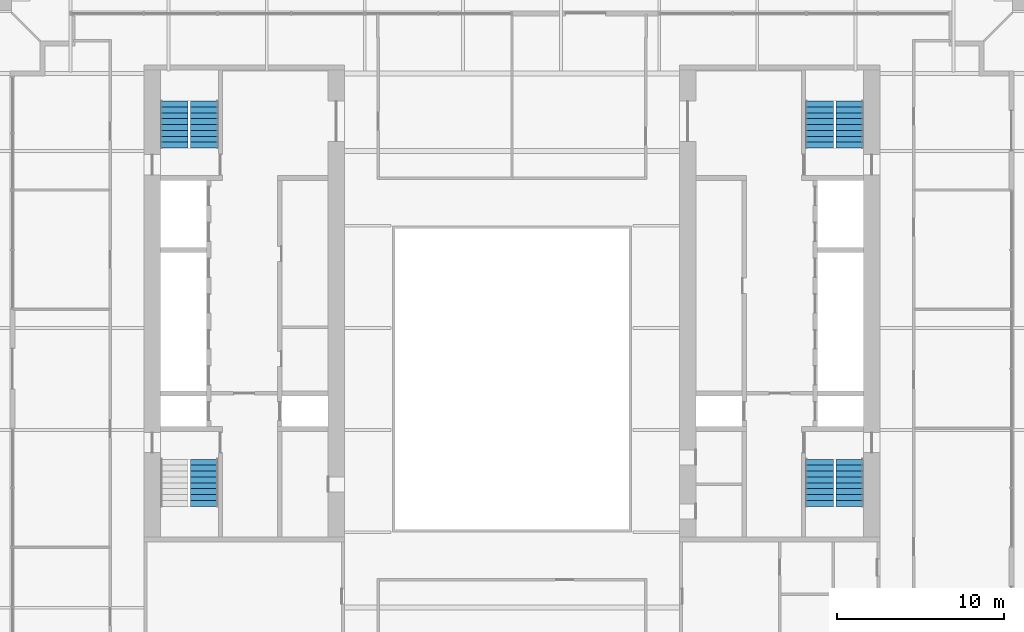
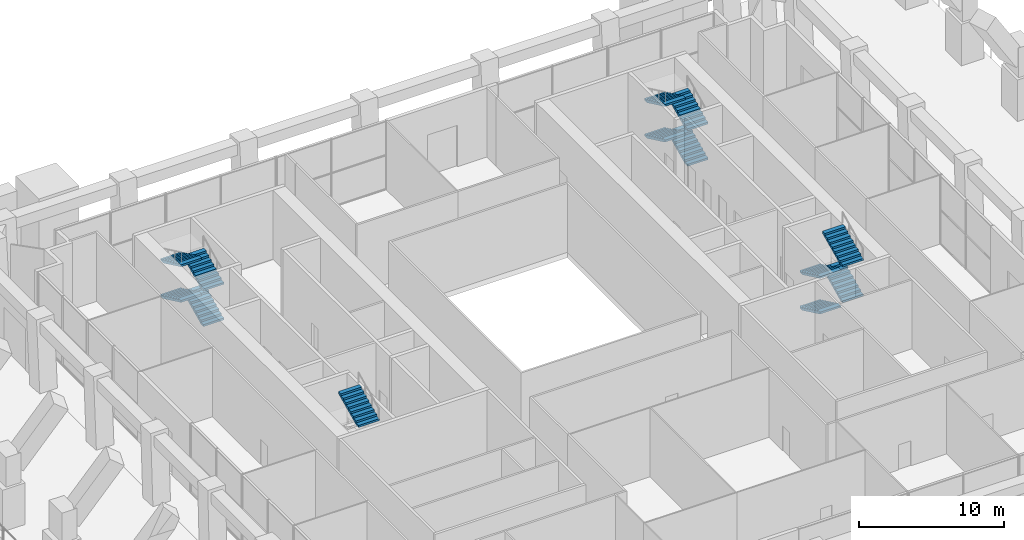
# One storey, part 17 of 20: 13 stair flights, 4 elements without a shape of their own.
"""IFC4 building model written with IfcOpenShell, lengths in metres."""

from ifc_helpers import new_model, si_unit, direction, frame, origin, place, context, subcontext, project, spatial, polyline, outline, extrude, material, type_object, element, aggregate, save


model = new_model("IFC4")

# Units and contexts
model_context = context("Model", 3, precision=1e-05, world=origin(), true_north=direction((0.0, 1.0)))
body_context = subcontext(model_context, "Body", "Model", "MODEL_VIEW")
ifc_project = project(units=[si_unit("LENGTHUNIT", "METRE"), si_unit("AREAUNIT", "SQUARE_METRE"), si_unit("VOLUMEUNIT", "CUBIC_METRE"), si_unit("PLANEANGLEUNIT", "RADIAN"), si_unit("MASSUNIT", "GRAM", prefix="KILO")], contexts=[model_context])

# Site, building, storey
site_placement = place(None, origin())
site = spatial("IfcSite", under=ifc_project, at=site_placement, CompositionType="ELEMENT")
building_placement = place(site_placement, origin())
building = spatial("IfcBuilding", under=site, at=building_placement, Name="Ogive Exchange Tower", CompositionType="ELEMENT")
storey_placement = place(building_placement, frame((0.0, 0.0, 33.60009765625)))
storey = spatial("IfcBuildingStorey", under=building, at=storey_placement, Name="L06", CompositionType="ELEMENT", Elevation=33.60009765625)

# Stair, stair flight
ifc_material = material(Name="Concrete C40/50", Category="concrete")
stair_type = type_object("IfcStairType", Name="Exit stair 1650 wide", PredefinedType="HALF_TURN_STAIR", material=ifc_material)
stair_1_placement = place(storey_placement, origin())
stair_1 = element("IfcStair", 1, at=stair_1_placement, inside=storey, type_object=stair_type, Name="L06 exit stair ST1", PredefinedType="HALF_TURN_STAIR")
stair_flight_type = type_object("IfcStairFlightType", Name="Stair flight 1650 wide", PredefinedType="STRAIGHT", material=ifc_material)
stair_flight_1_placement = place(storey_placement, frame((-18.375, -0.60791015625, 4.5), z_axis=(0.0, 0.0, 1.0), x_axis=(0.0, 1.0, 0.0)))
stair_flight_1 = element("IfcStairFlight", 2, at=stair_flight_1_placement, type_object=stair_flight_type, Name="ST1 flight 4", NumberOfRisers=9, NumberOfTreads=8, PredefinedType="STRAIGHT", RiserHeight=0.166666667, TreadLength=0.351, context=body_context, shape_type="SweptSolid", body=[
    extrude(outline(polyline([(0.0, 0.0), (0.0, 0.166748046875), (0.35107421875, 0.166748046875), (0.35107421875, 0.333251953125), (0.701904296875, 0.333251953125), (0.701904296875, 0.5), (1.052978515625, 0.5), (1.052978515625, 0.666748046875), (1.404052734375, 0.666748046875), (1.404052734375, 0.833251953125), (1.7548828125, 0.833251953125), (1.7548828125, 1.0), (2.10595703125, 1.0), (2.10595703125, 1.166748046875), (2.45703125, 1.166748046875), (2.45703125, 1.333251953125), (2.80810546875, 1.333251953125), (2.80810546875, 1.5), (2.80810546875, 1.16748046875), (0.349365234375, 0.0), (0.0, 0.0)])), frame((0.0, 0.824951171875, 0.0), z_axis=(0.0, -1.0, 0.0), x_axis=(1.0, 0.0, 0.0)), (0.0, 0.0, 1.0), 1.64990234375),
])
aggregate(stair_1, [stair_flight_1])

# Stair, stair flights
stair_2_placement = place(storey_placement, origin())
stair_2 = element("IfcStair", 3, at=stair_2_placement, inside=storey, type_object=stair_type, Name="L06 exit stair ST2", PredefinedType="HALF_TURN_STAIR")
stair_flight_2_placement = place(storey_placement, frame((-18.375, 20.800048828125, 0.0), z_axis=(0.0, 0.0, 1.0), x_axis=(0.0, 1.0, 0.0)))
stair_flight_2 = element("IfcStairFlight", 4, at=stair_flight_2_placement, type_object=stair_flight_type, Name="ST2 flight 1", NumberOfRisers=9, NumberOfTreads=8, PredefinedType="STRAIGHT", RiserHeight=0.166666667, TreadLength=0.351, context=body_context, shape_type="SweptSolid", body=[
    extrude(outline(polyline([(0.0, 0.0), (0.0, 0.166748046875), (0.35107421875, 0.166748046875), (0.35107421875, 0.333251953125), (0.701904296875, 0.333251953125), (0.701904296875, 0.5), (1.052978515625, 0.5), (1.052978515625, 0.666748046875), (1.404052734375, 0.666748046875), (1.404052734375, 0.833251953125), (1.7548828125, 0.833251953125), (1.7548828125, 1.0), (2.10595703125, 1.0), (2.10595703125, 1.166748046875), (2.45703125, 1.166748046875), (2.45703125, 1.333251953125), (2.80810546875, 1.333251953125), (2.80810546875, 1.5), (2.80810546875, 1.16748046875), (0.349365234375, 0.0), (0.0, 0.0)])), frame((0.0, 0.824951171875, 0.0), z_axis=(0.0, -1.0, 0.0), x_axis=(1.0, 0.0, 0.0)), (0.0, 0.0, 1.0), 1.64990234375),
])
stair_flight_3_placement = place(storey_placement, frame((-20.175048828125, 23.60791015625, 1.5), z_axis=(0.0, 0.0, 1.0), x_axis=(0.0, -1.0, 0.0)))
stair_flight_3 = element("IfcStairFlight", 5, at=stair_flight_3_placement, type_object=stair_flight_type, Name="ST2 flight 2", NumberOfRisers=9, NumberOfTreads=8, PredefinedType="STRAIGHT", RiserHeight=0.166666667, TreadLength=0.351, context=body_context, shape_type="SweptSolid", body=[
    extrude(outline(polyline([(0.0, 0.0), (0.0, 0.166748046875), (0.35107421875, 0.166748046875), (0.35107421875, 0.333251953125), (0.701904296875, 0.333251953125), (0.701904296875, 0.5), (1.052978515625, 0.5), (1.052978515625, 0.666748046875), (1.404052734375, 0.666748046875), (1.404052734375, 0.833251953125), (1.7548828125, 0.833251953125), (1.7548828125, 1.0), (2.10595703125, 1.0), (2.10595703125, 1.166748046875), (2.45703125, 1.166748046875), (2.45703125, 1.333251953125), (2.80810546875, 1.333251953125), (2.80810546875, 1.5), (2.80810546875, 1.16748046875), (0.349365234375, 0.0), (0.0, 0.0)])), frame((0.0, 0.824951171875, 0.0), z_axis=(0.0, -1.0, 0.0), x_axis=(1.0, 0.0, 0.0)), (0.0, 0.0, 1.0), 1.64990234375),
])
stair_flight_4_placement = place(storey_placement, frame((-18.375, 20.800048828125, 3.0), z_axis=(0.0, 0.0, 1.0), x_axis=(0.0, 1.0, 0.0)))
stair_flight_4 = element("IfcStairFlight", 6, at=stair_flight_4_placement, type_object=stair_flight_type, Name="ST2 flight 3", NumberOfRisers=9, NumberOfTreads=8, PredefinedType="STRAIGHT", RiserHeight=0.166666667, TreadLength=0.351, context=body_context, shape_type="SweptSolid", body=[
    extrude(outline(polyline([(0.0, 0.0), (0.0, 0.166748046875), (0.35107421875, 0.166748046875), (0.35107421875, 0.333251953125), (0.701904296875, 0.333251953125), (0.701904296875, 0.5), (1.052978515625, 0.5), (1.052978515625, 0.666748046875), (1.404052734375, 0.666748046875), (1.404052734375, 0.833251953125), (1.7548828125, 0.833251953125), (1.7548828125, 1.0), (2.10595703125, 1.0), (2.10595703125, 1.166748046875), (2.45703125, 1.166748046875), (2.45703125, 1.333251953125), (2.80810546875, 1.333251953125), (2.80810546875, 1.5), (2.80810546875, 1.16748046875), (0.349365234375, 0.0), (0.0, 0.0)])), frame((0.0, 0.824951171875, 0.0), z_axis=(0.0, -1.0, 0.0), x_axis=(1.0, 0.0, 0.0)), (0.0, 0.0, 1.0), 1.64990234375),
])
stair_flight_5_placement = place(storey_placement, frame((-20.175048828125, 23.60791015625, 4.5), z_axis=(0.0, 0.0, 1.0), x_axis=(0.0, -1.0, 0.0)))
stair_flight_5 = element("IfcStairFlight", 7, at=stair_flight_5_placement, type_object=stair_flight_type, Name="ST2 flight 4", NumberOfRisers=9, NumberOfTreads=8, PredefinedType="STRAIGHT", RiserHeight=0.166666667, TreadLength=0.351, context=body_context, shape_type="SweptSolid", body=[
    extrude(outline(polyline([(0.0, 0.0), (0.0, 0.166748046875), (0.35107421875, 0.166748046875), (0.35107421875, 0.333251953125), (0.701904296875, 0.333251953125), (0.701904296875, 0.5), (1.052978515625, 0.5), (1.052978515625, 0.666748046875), (1.404052734375, 0.666748046875), (1.404052734375, 0.833251953125), (1.7548828125, 0.833251953125), (1.7548828125, 1.0), (2.10595703125, 1.0), (2.10595703125, 1.166748046875), (2.45703125, 1.166748046875), (2.45703125, 1.333251953125), (2.80810546875, 1.333251953125), (2.80810546875, 1.5), (2.80810546875, 1.16748046875), (0.349365234375, 0.0), (0.0, 0.0)])), frame((0.0, 0.824951171875, 0.0), z_axis=(0.0, -1.0, 0.0), x_axis=(1.0, 0.0, 0.0)), (0.0, 0.0, 1.0), 1.64990234375),
])
aggregate(stair_2, [stair_flight_2, stair_flight_3, stair_flight_4, stair_flight_5])

stair_3_placement = place(storey_placement, origin())
stair_3 = element("IfcStair", 8, at=stair_3_placement, inside=storey, type_object=stair_type, Name="L06 exit stair ST3", PredefinedType="HALF_TURN_STAIR")
stair_flight_6_placement = place(storey_placement, frame((18.375, 2.199951171875, 0.0), z_axis=(0.0, 0.0, 1.0), x_axis=(0.0, -1.0, 0.0)))
stair_flight_6 = element("IfcStairFlight", 9, at=stair_flight_6_placement, type_object=stair_flight_type, Name="ST3 flight 1", NumberOfRisers=9, NumberOfTreads=8, PredefinedType="STRAIGHT", RiserHeight=0.166666667, TreadLength=0.351, context=body_context, shape_type="SweptSolid", body=[
    extrude(outline(polyline([(0.0, 0.0), (0.0, 0.166748046875), (0.35107421875, 0.166748046875), (0.35107421875, 0.333251953125), (0.701904296875, 0.333251953125), (0.701904296875, 0.5), (1.052978515625, 0.5), (1.052978515625, 0.666748046875), (1.404052734375, 0.666748046875), (1.404052734375, 0.833251953125), (1.7548828125, 0.833251953125), (1.7548828125, 1.0), (2.10595703125, 1.0), (2.10595703125, 1.166748046875), (2.45703125, 1.166748046875), (2.45703125, 1.333251953125), (2.80810546875, 1.333251953125), (2.80810546875, 1.5), (2.80810546875, 1.16748046875), (0.349365234375, 0.0), (0.0, 0.0)])), frame((0.0, 0.824951171875, 0.0), z_axis=(0.0, -1.0, 0.0), x_axis=(1.0, 0.0, 0.0)), (0.0, 0.0, 1.0), 1.64990234375),
])
stair_flight_7_placement = place(storey_placement, frame((20.175048828125, -0.60791015625, 1.5), z_axis=(0.0, 0.0, 1.0), x_axis=(0.0, 1.0, 0.0)))
stair_flight_7 = element("IfcStairFlight", 10, at=stair_flight_7_placement, type_object=stair_flight_type, Name="ST3 flight 2", NumberOfRisers=9, NumberOfTreads=8, PredefinedType="STRAIGHT", RiserHeight=0.166666667, TreadLength=0.351, context=body_context, shape_type="SweptSolid", body=[
    extrude(outline(polyline([(0.0, 0.0), (0.0, 0.166748046875), (0.35107421875, 0.166748046875), (0.35107421875, 0.333251953125), (0.701904296875, 0.333251953125), (0.701904296875, 0.5), (1.052978515625, 0.5), (1.052978515625, 0.666748046875), (1.404052734375, 0.666748046875), (1.404052734375, 0.833251953125), (1.7548828125, 0.833251953125), (1.7548828125, 1.0), (2.10595703125, 1.0), (2.10595703125, 1.166748046875), (2.45703125, 1.166748046875), (2.45703125, 1.333251953125), (2.80810546875, 1.333251953125), (2.80810546875, 1.5), (2.80810546875, 1.16748046875), (0.349365234375, 0.0), (0.0, 0.0)])), frame((0.0, 0.824951171875, 0.0), z_axis=(0.0, -1.0, 0.0), x_axis=(1.0, 0.0, 0.0)), (0.0, 0.0, 1.0), 1.64990234375),
])
stair_flight_8_placement = place(storey_placement, frame((18.375, 2.199951171875, 3.0), z_axis=(0.0, 0.0, 1.0), x_axis=(0.0, -1.0, 0.0)))
stair_flight_8 = element("IfcStairFlight", 11, at=stair_flight_8_placement, type_object=stair_flight_type, Name="ST3 flight 3", NumberOfRisers=9, NumberOfTreads=8, PredefinedType="STRAIGHT", RiserHeight=0.166666667, TreadLength=0.351, context=body_context, shape_type="SweptSolid", body=[
    extrude(outline(polyline([(0.0, 0.0), (0.0, 0.166748046875), (0.35107421875, 0.166748046875), (0.35107421875, 0.333251953125), (0.701904296875, 0.333251953125), (0.701904296875, 0.5), (1.052978515625, 0.5), (1.052978515625, 0.666748046875), (1.404052734375, 0.666748046875), (1.404052734375, 0.833251953125), (1.7548828125, 0.833251953125), (1.7548828125, 1.0), (2.10595703125, 1.0), (2.10595703125, 1.166748046875), (2.45703125, 1.166748046875), (2.45703125, 1.333251953125), (2.80810546875, 1.333251953125), (2.80810546875, 1.5), (2.80810546875, 1.16748046875), (0.349365234375, 0.0), (0.0, 0.0)])), frame((0.0, 0.824951171875, 0.0), z_axis=(0.0, -1.0, 0.0), x_axis=(1.0, 0.0, 0.0)), (0.0, 0.0, 1.0), 1.64990234375),
])
stair_flight_9_placement = place(storey_placement, frame((20.175048828125, -0.60791015625, 4.5), z_axis=(0.0, 0.0, 1.0), x_axis=(0.0, 1.0, 0.0)))
stair_flight_9 = element("IfcStairFlight", 12, at=stair_flight_9_placement, type_object=stair_flight_type, Name="ST3 flight 4", NumberOfRisers=9, NumberOfTreads=8, PredefinedType="STRAIGHT", RiserHeight=0.166666667, TreadLength=0.351, context=body_context, shape_type="SweptSolid", body=[
    extrude(outline(polyline([(0.0, 0.0), (0.0, 0.166748046875), (0.35107421875, 0.166748046875), (0.35107421875, 0.333251953125), (0.701904296875, 0.333251953125), (0.701904296875, 0.5), (1.052978515625, 0.5), (1.052978515625, 0.666748046875), (1.404052734375, 0.666748046875), (1.404052734375, 0.833251953125), (1.7548828125, 0.833251953125), (1.7548828125, 1.0), (2.10595703125, 1.0), (2.10595703125, 1.166748046875), (2.45703125, 1.166748046875), (2.45703125, 1.333251953125), (2.80810546875, 1.333251953125), (2.80810546875, 1.5), (2.80810546875, 1.16748046875), (0.349365234375, 0.0), (0.0, 0.0)])), frame((0.0, 0.824951171875, 0.0), z_axis=(0.0, -1.0, 0.0), x_axis=(1.0, 0.0, 0.0)), (0.0, 0.0, 1.0), 1.64990234375),
])
aggregate(stair_3, [stair_flight_6, stair_flight_7, stair_flight_8, stair_flight_9])

stair_4_placement = place(storey_placement, origin())
stair_4 = element("IfcStair", 13, at=stair_4_placement, inside=storey, type_object=stair_type, Name="L06 exit stair ST4", PredefinedType="HALF_TURN_STAIR")
stair_flight_10_placement = place(storey_placement, frame((20.175048828125, 20.800048828125, 0.0), z_axis=(0.0, 0.0, 1.0), x_axis=(0.0, 1.0, 0.0)))
stair_flight_10 = element("IfcStairFlight", 14, at=stair_flight_10_placement, type_object=stair_flight_type, Name="ST4 flight 1", NumberOfRisers=9, NumberOfTreads=8, PredefinedType="STRAIGHT", RiserHeight=0.166666667, TreadLength=0.351, context=body_context, shape_type="SweptSolid", body=[
    extrude(outline(polyline([(0.0, 0.0), (0.0, 0.166748046875), (0.35107421875, 0.166748046875), (0.35107421875, 0.333251953125), (0.701904296875, 0.333251953125), (0.701904296875, 0.5), (1.052978515625, 0.5), (1.052978515625, 0.666748046875), (1.404052734375, 0.666748046875), (1.404052734375, 0.833251953125), (1.7548828125, 0.833251953125), (1.7548828125, 1.0), (2.10595703125, 1.0), (2.10595703125, 1.166748046875), (2.45703125, 1.166748046875), (2.45703125, 1.333251953125), (2.80810546875, 1.333251953125), (2.80810546875, 1.5), (2.80810546875, 1.16748046875), (0.349365234375, 0.0), (0.0, 0.0)])), frame((0.0, 0.824951171875, 0.0), z_axis=(0.0, -1.0, 0.0), x_axis=(1.0, 0.0, 0.0)), (0.0, 0.0, 1.0), 1.64990234375),
])
stair_flight_11_placement = place(storey_placement, frame((18.375, 23.60791015625, 1.5), z_axis=(0.0, 0.0, 1.0), x_axis=(0.0, -1.0, 0.0)))
stair_flight_11 = element("IfcStairFlight", 15, at=stair_flight_11_placement, type_object=stair_flight_type, Name="ST4 flight 2", NumberOfRisers=9, NumberOfTreads=8, PredefinedType="STRAIGHT", RiserHeight=0.166666667, TreadLength=0.351, context=body_context, shape_type="SweptSolid", body=[
    extrude(outline(polyline([(0.0, 0.0), (0.0, 0.166748046875), (0.35107421875, 0.166748046875), (0.35107421875, 0.333251953125), (0.701904296875, 0.333251953125), (0.701904296875, 0.5), (1.052978515625, 0.5), (1.052978515625, 0.666748046875), (1.404052734375, 0.666748046875), (1.404052734375, 0.833251953125), (1.7548828125, 0.833251953125), (1.7548828125, 1.0), (2.10595703125, 1.0), (2.10595703125, 1.166748046875), (2.45703125, 1.166748046875), (2.45703125, 1.333251953125), (2.80810546875, 1.333251953125), (2.80810546875, 1.5), (2.80810546875, 1.16748046875), (0.349365234375, 0.0), (0.0, 0.0)])), frame((0.0, 0.824951171875, 0.0), z_axis=(0.0, -1.0, 0.0), x_axis=(1.0, 0.0, 0.0)), (0.0, 0.0, 1.0), 1.64990234375),
])
stair_flight_12_placement = place(storey_placement, frame((20.175048828125, 20.800048828125, 3.0), z_axis=(0.0, 0.0, 1.0), x_axis=(0.0, 1.0, 0.0)))
stair_flight_12 = element("IfcStairFlight", 16, at=stair_flight_12_placement, type_object=stair_flight_type, Name="ST4 flight 3", NumberOfRisers=9, NumberOfTreads=8, PredefinedType="STRAIGHT", RiserHeight=0.166666667, TreadLength=0.351, context=body_context, shape_type="SweptSolid", body=[
    extrude(outline(polyline([(0.0, 0.0), (0.0, 0.166748046875), (0.35107421875, 0.166748046875), (0.35107421875, 0.333251953125), (0.701904296875, 0.333251953125), (0.701904296875, 0.5), (1.052978515625, 0.5), (1.052978515625, 0.666748046875), (1.404052734375, 0.666748046875), (1.404052734375, 0.833251953125), (1.7548828125, 0.833251953125), (1.7548828125, 1.0), (2.10595703125, 1.0), (2.10595703125, 1.166748046875), (2.45703125, 1.166748046875), (2.45703125, 1.333251953125), (2.80810546875, 1.333251953125), (2.80810546875, 1.5), (2.80810546875, 1.16748046875), (0.349365234375, 0.0), (0.0, 0.0)])), frame((0.0, 0.824951171875, 0.0), z_axis=(0.0, -1.0, 0.0), x_axis=(1.0, 0.0, 0.0)), (0.0, 0.0, 1.0), 1.64990234375),
])
stair_flight_13_placement = place(storey_placement, frame((18.375, 23.60791015625, 4.5), z_axis=(0.0, 0.0, 1.0), x_axis=(0.0, -1.0, 0.0)))
stair_flight_13 = element("IfcStairFlight", 17, at=stair_flight_13_placement, type_object=stair_flight_type, Name="ST4 flight 4", NumberOfRisers=9, NumberOfTreads=8, PredefinedType="STRAIGHT", RiserHeight=0.166666667, TreadLength=0.351, context=body_context, shape_type="SweptSolid", body=[
    extrude(outline(polyline([(0.0, 0.0), (0.0, 0.166748046875), (0.35107421875, 0.166748046875), (0.35107421875, 0.333251953125), (0.701904296875, 0.333251953125), (0.701904296875, 0.5), (1.052978515625, 0.5), (1.052978515625, 0.666748046875), (1.404052734375, 0.666748046875), (1.404052734375, 0.833251953125), (1.7548828125, 0.833251953125), (1.7548828125, 1.0), (2.10595703125, 1.0), (2.10595703125, 1.166748046875), (2.45703125, 1.166748046875), (2.45703125, 1.333251953125), (2.80810546875, 1.333251953125), (2.80810546875, 1.5), (2.80810546875, 1.16748046875), (0.349365234375, 0.0), (0.0, 0.0)])), frame((0.0, 0.824951171875, 0.0), z_axis=(0.0, -1.0, 0.0), x_axis=(1.0, 0.0, 0.0)), (0.0, 0.0, 1.0), 1.64990234375),
])
aggregate(stair_4, [stair_flight_10, stair_flight_11, stair_flight_12, stair_flight_13])

save(model, "model.ifc")
